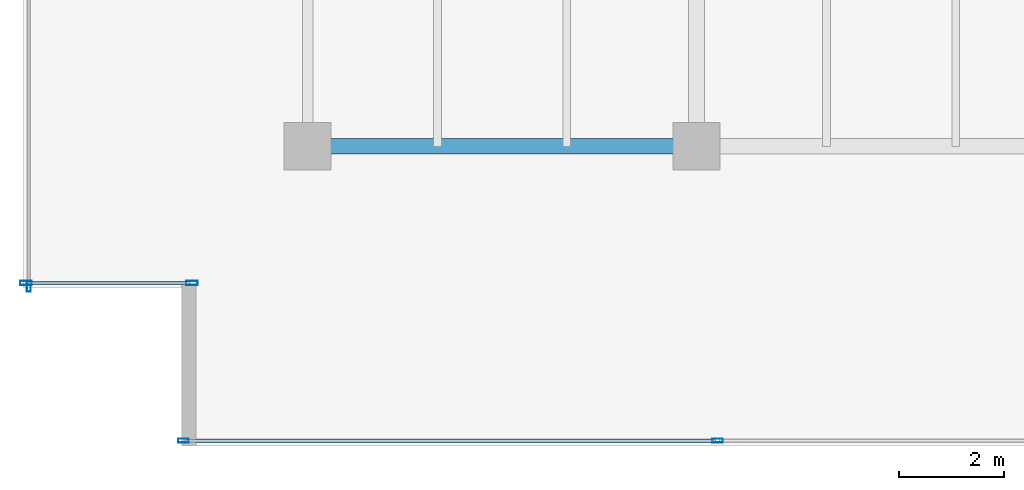
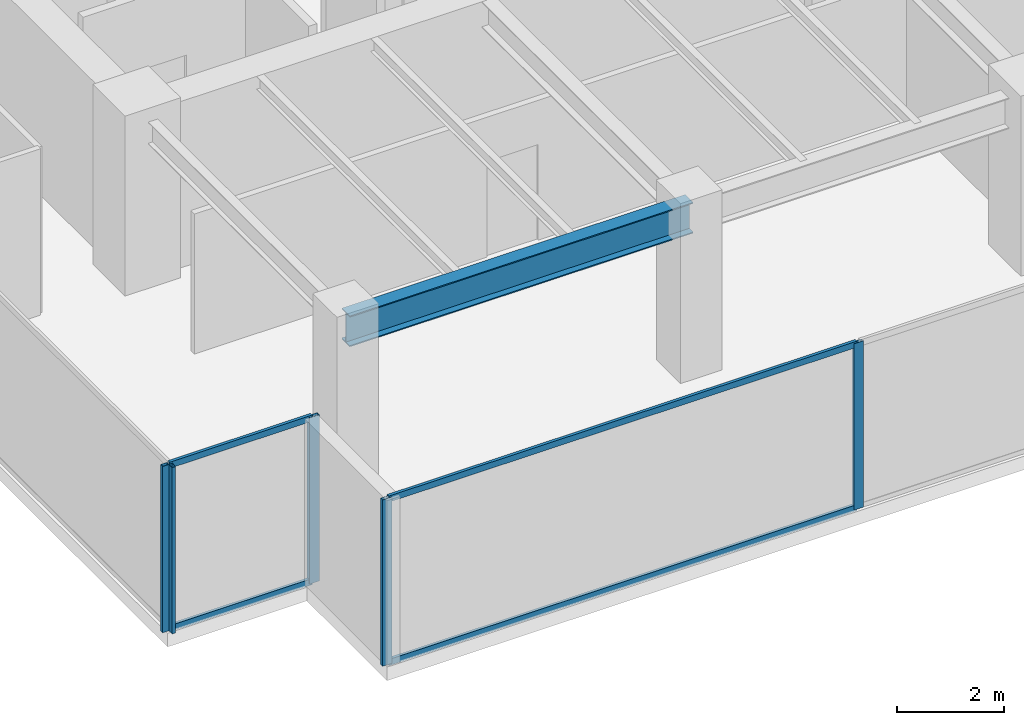
# One storey, part 2 of 31: 9 members, 1 beam, 3 elements without a shape of their own.
"""IFC4 building model written with IfcOpenShell, lengths in metres."""

import ifcopenshell
import ifcopenshell.guid

model = None  # the IFC model being written
_history = None  # IfcOwnerHistory: only IFC2X3 demands one
_inside = {}  # id of a spatial element -> (the spatial element, [elements in it])
_under = {}  # id of a project, library or spatial element -> (it, [spatial elements below it])
_declared = {}  # id of a project -> (the project, [libraries it declares])
_typed = {}  # id of a type object -> (the type object, [elements of that type])
_made_of = {}  # id of a material, layer set ... -> (it, [elements and type objects made of it])


def new_model(schema):
    """Start an empty IFC model of exactly this schema.

    Asked for "IFC4X3", IfcOpenShell would pick the latest addendum, in which some entities
    have other attributes; the version numbers below select the first issue.
    IFC2X3 requires an IfcOwnerHistory on every rooted entity: one is made here for all.
    """
    global model, _history
    if schema == "IFC4X3":
        model = ifcopenshell.file(schema_version=(4, 3, 0, 0))
    else:
        model = ifcopenshell.file(schema=schema)
    _inside.clear()
    _under.clear()
    _declared.clear()
    _typed.clear()
    _made_of.clear()
    _history = None
    if model.schema == "IFC2X3":
        org = make("IfcOrganization", Name="unknown")
        user = make(
            "IfcPersonAndOrganization",
            ThePerson=make("IfcPerson", FamilyName="unknown"),
            TheOrganization=org,
        )
        app = make(
            "IfcApplication",
            ApplicationDeveloper=org,
            Version="unknown",
            ApplicationFullName="unknown",
            ApplicationIdentifier="unknown",
        )
        _history = make(
            "IfcOwnerHistory",
            OwningUser=user,
            OwningApplication=app,
            ChangeAction="ADDED",
            CreationDate=0,
        )
    return model


def make(cls, **values):
    """One entity of the class cls with the attributes given. An attribute that is None is left unset."""
    return model.create_entity(
        cls, **{name: value for name, value in values.items() if value is not None}
    )


def rooted(cls, **values):
    """An entity with a GlobalId (a new one), such as an element, a storey or a relation."""
    return make(cls, GlobalId=ifcopenshell.guid.new(), OwnerHistory=_history, **values)


def si_unit(unit_type, name, prefix=None):
    """IfcSIUnit, for example si_unit("LENGTHUNIT", "METRE", prefix="MILLI")."""
    return make("IfcSIUnit", UnitType=unit_type, Prefix=prefix, Name=name)


def assignment(units):
    """IfcUnitAssignment: the units of a project."""
    return None if units is None else make("IfcUnitAssignment", Units=units)


def point(xyz):
    """IfcCartesianPoint."""
    return None if xyz is None else make("IfcCartesianPoint", Coordinates=xyz)


def direction(xyz):
    """IfcDirection."""
    return None if xyz is None else make("IfcDirection", DirectionRatios=xyz)


def frame(location, z_axis=None, x_axis=None):
    """IfcAxis2Placement3D, a coordinate frame: its origin and axes. An axis left out is left unset."""
    return make(
        "IfcAxis2Placement3D",
        Location=point(location),
        Axis=direction(z_axis),
        RefDirection=direction(x_axis),
    )


def frame_2d(location, x_axis=None):
    """IfcAxis2Placement2D, a coordinate frame in the plane: its origin and x axis."""
    return make(
        "IfcAxis2Placement2D", Location=point(location), RefDirection=direction(x_axis)
    )


def origin():
    """The frame at (0, 0, 0) with its axes left unset."""
    return frame((0.0, 0.0, 0.0))


def origin_2d():
    """The frame at (0, 0) in the plane with its x axis left unset."""
    return frame_2d((0.0, 0.0))


def place(relative_to, where):
    """IfcLocalPlacement: puts the frame where relative to a parent placement (None: the world)."""
    return make(
        "IfcLocalPlacement", PlacementRelTo=relative_to, RelativePlacement=where
    )


def context(
    kind, dimensions, precision=None, world=None, true_north=None, identifier=None
):
    """IfcGeometricRepresentationContext, for example the 3D "Model" context."""
    return make(
        "IfcGeometricRepresentationContext",
        ContextIdentifier=identifier,
        ContextType=kind,
        CoordinateSpaceDimension=dimensions,
        Precision=precision,
        WorldCoordinateSystem=world,
        TrueNorth=true_north,
    )


def subcontext(parent, identifier, kind, view, scale=None):
    """IfcGeometricRepresentationSubContext, for example "Body" below "Model"."""
    return make(
        "IfcGeometricRepresentationSubContext",
        ContextIdentifier=identifier,
        ContextType=kind,
        ParentContext=parent,
        TargetScale=scale,
        TargetView=view,
    )


def project(units=None, contexts=None):
    """IfcProject with its units and contexts."""
    return rooted(
        "IfcProject",
        Name="project",
        RepresentationContexts=contexts,
        UnitsInContext=assignment(units),
    )


def spatial(cls, under=None, at=None, **own):
    """A site, building, storey or space (cls), placed at a placement, below another one or the project."""
    s = rooted(cls, ObjectPlacement=at, **own)
    if under is not None:
        _under.setdefault(under.id(), (under, []))[1].append(s)
    return s


def profile(cls, at=None, kind="AREA", **sizes):
    """A parametric profile (cls). Its sizes go by their IFC names, for example OverallWidth=200.0."""
    return make(cls, ProfileType=kind, Position=at, **sizes)


def hollow_rectangle(**sizes):
    """IfcRectangleHollowProfileDef."""
    return profile("IfcRectangleHollowProfileDef", **sizes)


def i_section(**sizes):
    """IfcIShapeProfileDef."""
    return profile("IfcIShapeProfileDef", **sizes)


def extrude(swept, where, along, depth):
    """IfcExtrudedAreaSolid: the profile swept, set in the frame where, extruded along a direction by depth."""
    return make(
        "IfcExtrudedAreaSolid",
        SweptArea=swept,
        Position=where,
        ExtrudedDirection=direction(along),
        Depth=depth,
    )


def shape(context_of_items, identifier, shape_type, items):
    """IfcShapeRepresentation: the items that make up one representation, for example the "Body"."""
    return make(
        "IfcShapeRepresentation",
        ContextOfItems=context_of_items,
        RepresentationIdentifier=identifier,
        RepresentationType=shape_type,
        Items=items,
    )


def source(mapping_origin, context_of_items, identifier, shape_type, items):
    """IfcRepresentationMap: a shape defined once, which mapped items show again and again."""
    return make(
        "IfcRepresentationMap",
        MappingOrigin=mapping_origin,
        MappedRepresentation=shape(context_of_items, identifier, shape_type, items),
    )


def transform(
    local_origin,
    x_axis=None,
    y_axis=None,
    z_axis=None,
    scale=None,
    scale2=None,
    scale3=None,
    uniform=True,
):
    """IfcCartesianTransformationOperator3D, or its non-uniform kind. x_axis, y_axis, z_axis: its Axis1, 2, 3."""
    if uniform:
        return make(
            "IfcCartesianTransformationOperator3D",
            Axis1=direction(x_axis),
            Axis2=direction(y_axis),
            LocalOrigin=point(local_origin),
            Scale=scale,
            Axis3=direction(z_axis),
        )
    return make(
        "IfcCartesianTransformationOperator3DnonUniform",
        Axis1=direction(x_axis),
        Axis2=direction(y_axis),
        LocalOrigin=point(local_origin),
        Scale=scale,
        Axis3=direction(z_axis),
        Scale2=scale2,
        Scale3=scale3,
    )


def mapped(mapping_source, mapping_target):
    """IfcMappedItem: shows the shape of a source again, moved by a transform."""
    return make(
        "IfcMappedItem", MappingSource=mapping_source, MappingTarget=mapping_target
    )


def material(Name=None, Category=None):
    """IfcMaterial."""
    return make("IfcMaterial", Name=Name, Category=Category)


def layer(
    of_material, thickness, ventilated=None, Name=None, Category=None, Priority=None
):
    """IfcMaterialLayer: one layer of a wall or slab, of a material (None: an air gap)."""
    return make(
        "IfcMaterialLayer",
        Material=of_material,
        LayerThickness=thickness,
        IsVentilated=ventilated,
        Name=Name,
        Category=Category,
        Priority=Priority,
    )


def layer_set(layers, Name=None):
    """IfcMaterialLayerSet."""
    return make("IfcMaterialLayerSet", MaterialLayers=layers, LayerSetName=Name)


def material_profile(
    of_material, cross_section, Name=None, Category=None, Priority=None
):
    """IfcMaterialProfile: a cross section and its material."""
    return make(
        "IfcMaterialProfile",
        Name=Name,
        Material=of_material,
        Profile=cross_section,
        Priority=Priority,
        Category=Category,
    )


def profile_set(profiles, Name=None, composite=None):
    """IfcMaterialProfileSet."""
    return make(
        "IfcMaterialProfileSet",
        Name=Name,
        MaterialProfiles=profiles,
        CompositeProfile=composite,
    )


def made_of(thing, what):
    """Note that an element or type object is made of a material, layer set ...; save() writes the relation."""
    if what is not None:
        _made_of.setdefault(what.id(), (what, []))[1].append(thing)
    return thing


def type_object(cls, material=None, **own):
    """A type object (cls), such as IfcWallType, which elements share."""
    return made_of(rooted(cls, **own), material)


def type_shapes(of_type, sources):
    """Give a type object the sources (RepresentationMaps) that its elements show as mapped items."""
    of_type.RepresentationMaps = sources


def element(
    cls,
    number,
    at=None,
    inside=None,
    cuts=None,
    type_object=None,
    material=None,
    context=None,
    identifier="Body",
    shape_type=None,
    held_by="IfcProductDefinitionShape",
    body=None,
    shapes=None,
    **own,
):
    """One element of the class cls, such as IfcWall. Its Tag is "e" and its number.

    at: its placement. inside: the storey or other place that contains it. cuts: it is an
    opening in that element (IfcRelVoidsElement). A single representation is given by context,
    identifier, shape_type and body (its items); several are given by shapes. held_by: the class
    of the entity that holds the representations. save() writes the other relations.
    """
    e = rooted(cls, Tag="e%d" % number, ObjectPlacement=at, **own)
    if body is not None:
        shapes = [shape(context, identifier, shape_type, body)]
    if shapes is not None:
        e.Representation = make(held_by, Representations=shapes)
    if inside is not None:
        _inside.setdefault(inside.id(), (inside, []))[1].append(e)
    if cuts is not None:
        rooted(
            "IfcRelVoidsElement", RelatingBuildingElement=cuts, RelatedOpeningElement=e
        )
    if type_object is not None:
        _typed.setdefault(type_object.id(), (type_object, []))[1].append(e)
    return made_of(e, material)


def aggregate(whole, parts):
    """IfcRelAggregates: a whole, such as a stair, and the parts it consists of."""
    return rooted("IfcRelAggregates", RelatingObject=whole, RelatedObjects=parts)


def save(model, path):
    """Write the relations noted so far, then the file.

    IfcRelAggregates (storeys below a building ...), IfcRelContainedInSpatialStructure (elements
    in a storey), IfcRelDefinesByType, IfcRelAssociatesMaterial and IfcRelDeclares: one each for
    every whole, place, type object, material and project.
    """
    for whole, parts in _under.values():
        aggregate(whole, parts)
    for where, things in _inside.values():
        rooted(
            "IfcRelContainedInSpatialStructure",
            RelatedElements=things,
            RelatingStructure=where,
        )
    for kind, things in _typed.values():
        rooted("IfcRelDefinesByType", RelatedObjects=things, RelatingType=kind)
    for what, things in _made_of.values():
        rooted("IfcRelAssociatesMaterial", RelatedObjects=things, RelatingMaterial=what)
    for by, libraries in _declared.values():
        rooted("IfcRelDeclares", RelatingContext=by, RelatedDefinitions=libraries)
    model.write(path)


model = new_model("IFC4")

# Units and contexts
model_context = context("Model", 3, precision=1e-05, world=origin(), true_north=direction((0.0, 1.0)))
body_context = subcontext(model_context, "Body", "Model", "MODEL_VIEW")
ifc_project = project(units=[si_unit("LENGTHUNIT", "METRE"), si_unit("AREAUNIT", "SQUARE_METRE"), si_unit("VOLUMEUNIT", "CUBIC_METRE"), si_unit("PLANEANGLEUNIT", "RADIAN"), si_unit("MASSUNIT", "GRAM", prefix="KILO")], contexts=[model_context])

# Site, building, storey
site_placement = place(None, origin())
site = spatial("IfcSite", under=ifc_project, at=site_placement, CompositionType="ELEMENT")
building_placement = place(site_placement, origin())
building = spatial("IfcBuilding", under=site, at=building_placement, Name="Haelvirn Gate Laboratories", CompositionType="ELEMENT")
storey_placement = place(building_placement, frame((0.0, 0.0, 174.800048828125)))
storey = spatial("IfcBuildingStorey", under=building, at=storey_placement, Name="L42", CompositionType="ELEMENT", Elevation=174.800048828125)

# Beam
ifc_material_1 = material(Name="Steel SM355", Category="steel")
ifc_material_profile_1 = material_profile(ifc_material_1, i_section(OverallWidth=0.300048828125, OverallDepth=0.699951171875, WebThickness=0.012939453125, FlangeThickness=0.02392578125, at=origin_2d()), Name="H-700x300x13x24")
ifc_profile_set_1 = profile_set([ifc_material_profile_1], Name="Steel SM355")
beam_type = type_object("IfcBeamType", Name="BM-G-700", PredefinedType="BEAM", material=ifc_profile_set_1)
shared_shape_1 = source(origin(), body_context, "Body", "SweptSolid", [
    extrude(i_section(OverallWidth=0.300048828125, OverallDepth=0.699951171875, WebThickness=0.012939453125, FlangeThickness=0.02392578125, at=origin_2d()), origin(), (0.0, 0.0, 1.0), 7.400146484375),
])
type_shapes(beam_type, [shared_shape_1])
beam_placement = place(storey_placement, frame((7.39990234375, 7.0, 3.43994140625), z_axis=(1.0, 0.0, 0.0), x_axis=(0.0, 1.0, 0.0)))
element("IfcBeam", 1, at=beam_placement, inside=storey, type_object=beam_type, Name="L42 Primary Girder Y7.0 (7.4-14.8)", PredefinedType="BEAM", context=body_context, shape_type="MappedRepresentation", body=[
    mapped(shared_shape_1, transform((0.0, 0.0, 0.0), scale=1.0)),
])

# Curtain wall, members
ifc_material_2 = material(Name="Anodised bronze unitised aluminium & triple low-E glass", Category="aluminium")
ifc_layer_1 = layer(ifc_material_2, 0.179931640625, Name="CW-SYS-3")
ifc_layer_set_1 = layer_set([ifc_layer_1], Name="Anodised bronze unitised aluminium & triple low-E glass")
curtain_wall_type_1 = type_object("IfcCurtainWallType", Name="CW-SYS-3", PredefinedType="NOTDEFINED", material=ifc_layer_set_1)
curtain_wall_1_placement = place(storey_placement, origin())
curtain_wall_1 = element("IfcCurtainWall", 2, at=curtain_wall_1_placement, inside=storey, type_object=curtain_wall_type_1, Name="L42 Unitised Curtain Wall CW-L42-P0-E00-1", PredefinedType="NOTDEFINED")
ifc_material_3 = material(Name="Extruded aluminium 6063-T6 (anodised bronze)", Category="aluminium")
ifc_material_profile_2 = material_profile(ifc_material_3, hollow_rectangle(XDim=0.06494140625, YDim=0.139892578125, WallThickness=0.00390625, at=origin_2d()), Name="CWT-140x65x4")
ifc_profile_set_2 = profile_set([ifc_material_profile_2], Name="Extruded aluminium 6063-T6 (anodised bronze)")
member_type_1 = type_object("IfcMemberType", Name="CWT-T140", PredefinedType="USERDEFINED", material=ifc_profile_set_2)
shared_shape_2 = source(origin(), body_context, "Body", "SweptSolid", [
    extrude(hollow_rectangle(XDim=0.06494140625, YDim=0.139892578125, WallThickness=0.00390625, at=origin_2d()), origin(), (0.0, 0.0, 1.0), 10.087646484375),
])
member_1_placement = place(storey_placement, frame((5.074951171875, 1.39990234375, 0.032470703125), z_axis=(1.0, 0.0, 0.0), x_axis=(0.0, 1.0, 0.0)))
member_1 = element("IfcMember", 3, at=member_1_placement, type_object=member_type_1, Name="CW3 transom 1.1", ObjectType="TRANSOM", PredefinedType="USERDEFINED", context=body_context, shape_type="MappedRepresentation", body=[
    mapped(shared_shape_2, transform((0.0, 0.0, 0.0), scale=1.0)),
])
member_2_placement = place(storey_placement, frame((5.074951171875, 1.39990234375, 3.757568359375), z_axis=(1.0, 0.0, 0.0), x_axis=(0.0, 1.0, 0.0)))
member_2 = element("IfcMember", 4, at=member_2_placement, type_object=member_type_1, Name="CW3 transom 1.2", ObjectType="TRANSOM", PredefinedType="USERDEFINED", context=body_context, shape_type="MappedRepresentation", body=[
    mapped(shared_shape_2, transform((0.0, 0.0, 0.0), scale=1.0)),
])

ifc_layer_2 = layer(ifc_material_2, 0.181884765625, Name="CW-SYS-5")
ifc_layer_set_2 = layer_set([ifc_layer_2], Name="Anodised bronze unitised aluminium & triple low-E glass")
curtain_wall_type_2 = type_object("IfcCurtainWallType", Name="CW-SYS-5", PredefinedType="NOTDEFINED", material=ifc_layer_set_2)
curtain_wall_2_placement = place(storey_placement, origin())
curtain_wall_2 = element("IfcCurtainWall", 5, at=curtain_wall_2_placement, inside=storey, type_object=curtain_wall_type_2, Name="L42 Unitised Curtain Wall CW-L42-P0-E18-1", PredefinedType="NOTDEFINED")
shared_shape_3 = source(origin(), body_context, "Body", "SweptSolid", [
    extrude(hollow_rectangle(XDim=0.06494140625, YDim=0.139892578125, WallThickness=0.00390625, at=origin_2d()), origin(), (0.0, 0.0, 1.0), 3.079833984375),
])
type_shapes(member_type_1, [shared_shape_2, shared_shape_3])
member_3_placement = place(storey_placement, frame((2.080078125, 4.39990234375, 0.032470703125), z_axis=(1.0, 0.0, 0.0), x_axis=(0.0, 1.0, 0.0)))
member_3 = element("IfcMember", 6, at=member_3_placement, type_object=member_type_1, Name="CW5 transom 1.1", ObjectType="TRANSOM", PredefinedType="USERDEFINED", context=body_context, shape_type="MappedRepresentation", body=[
    mapped(shared_shape_3, transform((0.0, 0.0, 0.0), scale=1.0)),
])
member_4_placement = place(storey_placement, frame((2.080078125, 4.39990234375, 3.757568359375), z_axis=(1.0, 0.0, 0.0), x_axis=(0.0, 1.0, 0.0)))
member_4 = element("IfcMember", 7, at=member_4_placement, type_object=member_type_1, Name="CW5 transom 1.2", ObjectType="TRANSOM", PredefinedType="USERDEFINED", context=body_context, shape_type="MappedRepresentation", body=[
    mapped(shared_shape_3, transform((0.0, 0.0, 0.0), scale=1.0)),
])

# Member
ifc_material_profile_3 = material_profile(ifc_material_3, hollow_rectangle(XDim=0.074951171875, YDim=0.199951171875, WallThickness=0.0048828125, at=origin_2d()), Name="CWM-200x75x5")
ifc_profile_set_3 = profile_set([ifc_material_profile_3], Name="Extruded aluminium 6063-T6 (anodised bronze)")
member_type_2 = type_object("IfcMemberType", Name="CWM-T200", PredefinedType="MULLION", material=ifc_profile_set_3)
shared_shape_4 = source(origin(), body_context, "Body", "SweptSolid", [
    extrude(hollow_rectangle(XDim=0.074951171875, YDim=0.199951171875, WallThickness=0.0048828125, at=origin_2d()), origin(), (0.0, 0.0, 1.0), 3.7900390625),
])
type_shapes(member_type_2, [shared_shape_4])
member_5_placement = place(storey_placement, frame((5.03759765625, 1.39990234375, 0.0), z_axis=(0.0, 0.0, 1.0), x_axis=(0.0, 1.0, 0.0)))
member_5 = element("IfcMember", 8, at=member_5_placement, type_object=member_type_2, Name="CW3 mullion 1", PredefinedType="MULLION", context=body_context, shape_type="MappedRepresentation", body=[
    mapped(shared_shape_4, transform((0.0, 0.0, 0.0), scale=1.0)),
])

member_6_placement = place(storey_placement, frame((15.199951171875, 1.39990234375, 0.0), z_axis=(0.0, 0.0, 1.0), x_axis=(0.0, 1.0, 0.0)))
member_6 = element("IfcMember", 9, at=member_6_placement, type_object=member_type_2, Name="CW3 mullion 2", PredefinedType="MULLION", context=body_context, shape_type="MappedRepresentation", body=[
    mapped(shared_shape_4, transform((0.0, 0.0, 0.0), scale=1.0)),
])

aggregate(curtain_wall_1, [member_5, member_6, member_1, member_2])

# Curtain wall, member
curtain_wall_3_placement = place(storey_placement, origin())
curtain_wall_3 = element("IfcCurtainWall", 10, at=curtain_wall_3_placement, inside=storey, type_object=curtain_wall_type_1, Name="L42 Unitised Curtain Wall CW-L42-P0-E17", PredefinedType="NOTDEFINED")
member_7_placement = place(storey_placement, frame((2.10009765625, 4.33740234375, 0.0), z_axis=(0.0, 0.0, 1.0), x_axis=(1.0, 0.0, 0.0)))
member_7 = element("IfcMember", 11, at=member_7_placement, type_object=member_type_2, Name="CW3 mullion 4", PredefinedType="MULLION", context=body_context, shape_type="MappedRepresentation", body=[
    mapped(shared_shape_4, transform((0.0, 0.0, 0.0), scale=1.0)),
])
aggregate(curtain_wall_3, [member_7])

# Member
ifc_material_profile_4 = material_profile(ifc_material_3, hollow_rectangle(XDim=0.080078125, YDim=0.219970703125, WallThickness=0.006103515625, at=origin_2d()), Name="CWM-220x80x6")
ifc_profile_set_4 = profile_set([ifc_material_profile_4], Name="Extruded aluminium 6063-T6 (anodised bronze)")
member_type_3 = type_object("IfcMemberType", Name="CWM-T220", PredefinedType="MULLION", material=ifc_profile_set_4)
shared_shape_5 = source(origin(), body_context, "Body", "SweptSolid", [
    extrude(hollow_rectangle(XDim=0.080078125, YDim=0.219970703125, WallThickness=0.006103515625, at=origin_2d()), origin(), (0.0, 0.0, 1.0), 3.7900390625),
])
type_shapes(member_type_3, [shared_shape_5])
member_8_placement = place(storey_placement, frame((2.0400390625, 4.39990234375, 0.0), z_axis=(0.0, 0.0, 1.0), x_axis=(0.0, 1.0, 0.0)))
member_8 = element("IfcMember", 12, at=member_8_placement, type_object=member_type_3, Name="CW5 mullion 1", PredefinedType="MULLION", context=body_context, shape_type="MappedRepresentation", body=[
    mapped(shared_shape_5, transform((0.0, 0.0, 0.0), scale=1.0)),
])

member_9_placement = place(storey_placement, frame((5.199951171875, 4.39990234375, 0.0), z_axis=(0.0, 0.0, 1.0), x_axis=(0.0, 1.0, 0.0)))
member_9 = element("IfcMember", 13, at=member_9_placement, type_object=member_type_3, Name="CW5 mullion 2", PredefinedType="MULLION", context=body_context, shape_type="MappedRepresentation", body=[
    mapped(shared_shape_5, transform((0.0, 0.0, 0.0), scale=1.0)),
])

aggregate(curtain_wall_2, [member_8, member_9, member_3, member_4])

save(model, "model.ifc")
